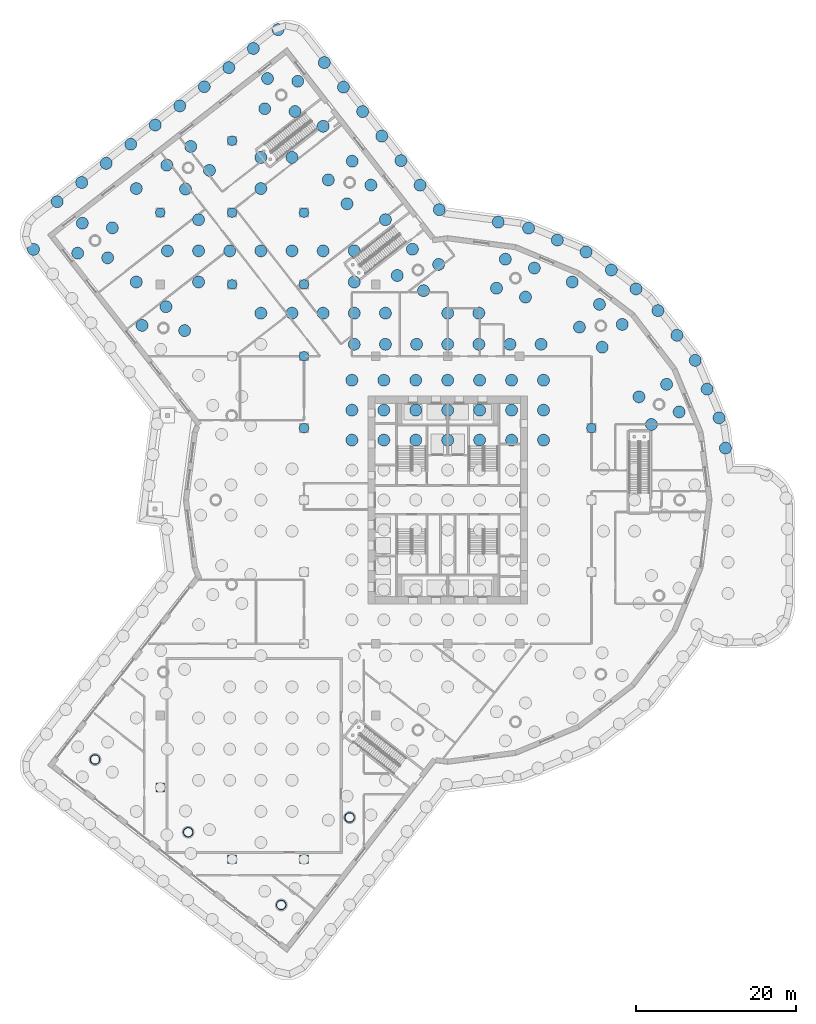
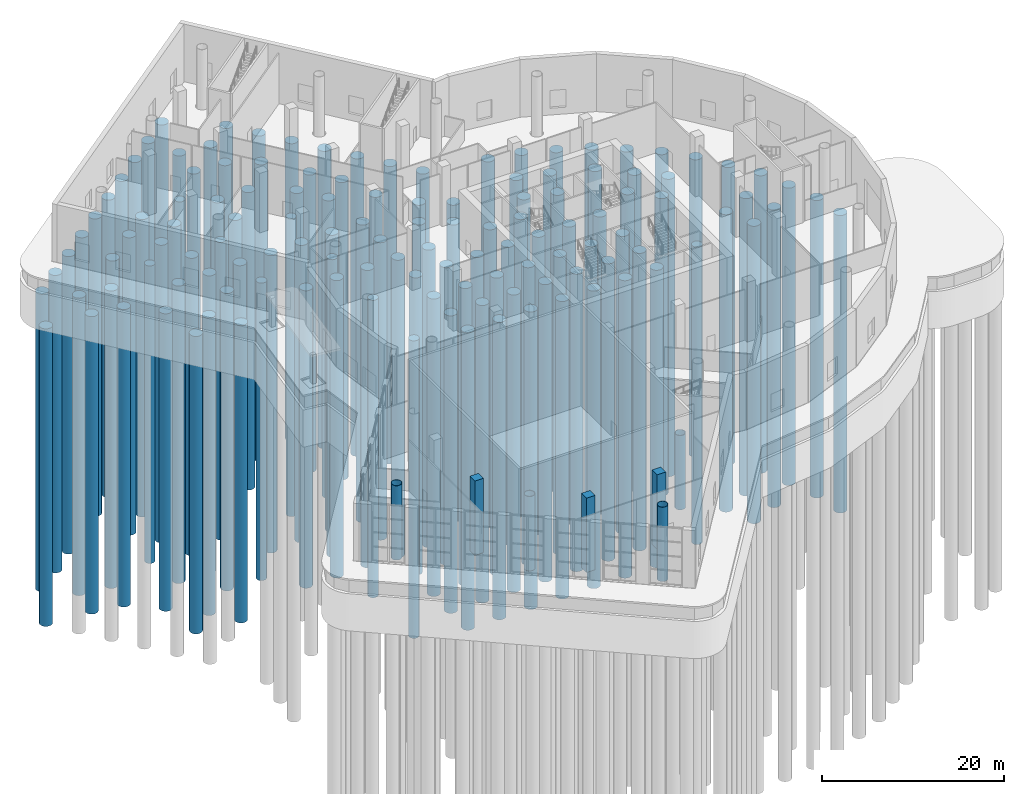
# One storey, part 2 of 34: 127 piles, 7 columns.
"""IFC4 building model written with IfcOpenShell, lengths in metres."""

from ifc_helpers import new_model, si_unit, direction, frame, origin, origin_2d, place, context, subcontext, project, spatial, rectangle, circle, hollow_circle, extrude, material, material_profile, profile_set, type_object, element, save


model = new_model("IFC4")

# Units and contexts
model_context = context("Model", 3, precision=1e-05, world=origin(), true_north=direction((0.0, 1.0)))
body_context = subcontext(model_context, "Body", "Model", "MODEL_VIEW")
ifc_project = project(units=[si_unit("LENGTHUNIT", "METRE"), si_unit("AREAUNIT", "SQUARE_METRE"), si_unit("VOLUMEUNIT", "CUBIC_METRE"), si_unit("PLANEANGLEUNIT", "RADIAN"), si_unit("MASSUNIT", "GRAM", prefix="KILO")], contexts=[model_context])

# Site, building, storey
site_placement = place(None, origin())
site = spatial("IfcSite", under=ifc_project, at=site_placement, CompositionType="ELEMENT")
building_placement = place(site_placement, origin())
building = spatial("IfcBuilding", under=site, at=building_placement, Name="Tarsis Ring Headquarters", CompositionType="ELEMENT")
storey_placement = place(building_placement, origin())
storey = spatial("IfcBuildingStorey", under=building, at=storey_placement, Name="L00", CompositionType="ELEMENT", Elevation=0.0)

# Piles
ifc_material_1 = material(Name="Concrete C40/50", Category="concrete")
ifc_material_profile_1 = material_profile(ifc_material_1, circle(Radius=0.60009765625, at=origin_2d()), Name="BORED 1200")
ifc_profile_set_1 = profile_set([ifc_material_profile_1], Name="Concrete C40/50")
pile_type_1 = type_object("IfcPileType", Name="FD Bored pile 1200", PredefinedType="BORED", material=ifc_profile_set_1)
for number, where, z_axis, x_axis, name in (
    (1, (-36.0, 36.0, -6.85009765625), (0.0, 0.0, -1.0), (1.0, 0.0, 0.0), "Bored pile"),
    (2, (-27.0, 27.0, -6.85009765625), (0.0, 0.0, -1.0), (1.0, 0.0, 0.0), "Bored pile"),
    (3, (-27.0, 36.0, -6.85009765625), (0.0, 0.0, -1.0), (1.0, 0.0, 0.0), "Bored pile"),
    (4, (-27.0, 45.0, -6.85009765625), (0.0, 0.0, -1.0), (1.0, 0.0, 0.0), "Bored pile"),
    (5, (-18.0, 9.0, -6.85009765625), (0.0, 0.0, -1.0), (1.0, 0.0, 0.0), "Bored pile"),
    (6, (-18.0, 18.0, -6.85009765625), (0.0, 0.0, -1.0), (1.0, 0.0, 0.0), "Bored pile"),
    (7, (-18.0, 27.0, -6.85009765625), (0.0, 0.0, -1.0), (1.0, 0.0, 0.0), "Bored pile"),
    (8, (-18.0, 36.0, -6.85009765625), (0.0, 0.0, -1.0), (1.0, 0.0, 0.0), "Bored pile"),
    (9, (18.0, 9.0, -6.85009765625), (0.0, 0.0, -1.0), (1.0, 0.0, 0.0), "Bored pile"),
):
    element("IfcPile", number, at=place(storey_placement, frame(where, z_axis=z_axis, x_axis=x_axis)), inside=storey, type_object=pile_type_1, Name=name, PredefinedType="BORED", context=body_context, shape_type="SweptSolid", body=[
        extrude(circle(Radius=0.60009765625, at=origin_2d()), origin(), (0.0, 0.0, 1.0), 40.0),
    ])
ifc_material_profile_2 = material_profile(ifc_material_1, circle(Radius=0.75, at=origin_2d()), Name="BORED 1500")
ifc_profile_set_2 = profile_set([ifc_material_profile_2], Name="Concrete C40/50")
pile_type_2 = type_object("IfcPileType", Name="FD Bored pile 1500", PredefinedType="BORED", material=ifc_profile_set_2)
for number, where, z_axis, x_axis, name in (
    (10, (-12.0, 7.5, -6.85009765625), (0.0, 0.0, -1.0), (1.0, 0.0, 0.0), "Bored pile"),
    (11, (-12.0, 11.25, -6.85009765625), (0.0, 0.0, -1.0), (1.0, 0.0, 0.0), "Bored pile"),
    (12, (-12.0, 15.0, -6.85009765625), (0.0, 0.0, -1.0), (1.0, 0.0, 0.0), "Bored pile"),
    (13, (-8.0, 7.5, -6.85009765625), (0.0, 0.0, -1.0), (1.0, 0.0, 0.0), "Bored pile"),
    (14, (-8.0, 11.25, -6.85009765625), (0.0, 0.0, -1.0), (1.0, 0.0, 0.0), "Bored pile"),
    (15, (-8.0, 15.0, -6.85009765625), (0.0, 0.0, -1.0), (1.0, 0.0, 0.0), "Bored pile"),
    (16, (-4.0, 7.5, -6.85009765625), (0.0, 0.0, -1.0), (1.0, 0.0, 0.0), "Bored pile"),
    (17, (-4.0, 11.25, -6.85009765625), (0.0, 0.0, -1.0), (1.0, 0.0, 0.0), "Bored pile"),
    (18, (-4.0, 15.0, -6.85009765625), (0.0, 0.0, -1.0), (1.0, 0.0, 0.0), "Bored pile"),
    (19, (0.0, 7.5, -6.85009765625), (0.0, 0.0, -1.0), (1.0, 0.0, 0.0), "Bored pile"),
    (20, (0.0, 11.25, -6.85009765625), (0.0, 0.0, -1.0), (1.0, 0.0, 0.0), "Bored pile"),
    (21, (0.0, 15.0, -6.85009765625), (0.0, 0.0, -1.0), (1.0, 0.0, 0.0), "Bored pile"),
    (22, (4.0, 7.5, -6.85009765625), (0.0, 0.0, -1.0), (1.0, 0.0, 0.0), "Bored pile"),
    (23, (4.0, 11.25, -6.85009765625), (0.0, 0.0, -1.0), (1.0, 0.0, 0.0), "Bored pile"),
    (24, (4.0, 15.0, -6.85009765625), (0.0, 0.0, -1.0), (1.0, 0.0, 0.0), "Bored pile"),
    (25, (8.0, 7.5, -6.85009765625), (0.0, 0.0, -1.0), (1.0, 0.0, 0.0), "Bored pile"),
    (26, (8.0, 11.25, -6.85009765625), (0.0, 0.0, -1.0), (1.0, 0.0, 0.0), "Bored pile"),
    (27, (8.0, 15.0, -6.85009765625), (0.0, 0.0, -1.0), (1.0, 0.0, 0.0), "Bored pile"),
    (28, (12.0, 7.5, -6.85009765625), (0.0, 0.0, -1.0), (1.0, 0.0, 0.0), "Bored pile"),
    (29, (12.0, 11.25, -6.85009765625), (0.0, 0.0, -1.0), (1.0, 0.0, 0.0), "Bored pile"),
    (30, (12.0, 15.0, -6.85009765625), (0.0, 0.0, -1.0), (1.0, 0.0, 0.0), "Bored pile"),
    (31, (28.980224609375, 11.025634765625, -6.85009765625), (0.0, 0.0, -1.0), (1.0, 0.0, 0.0), "Bored pile"),
    (32, (27.4140625, 14.48779296875, -6.85009765625), (0.0, 0.0, -1.0), (1.0, 0.0, 0.0), "Bored pile"),
    (33, (23.951904296875, 12.92138671875, -6.85009765625), (0.0, 0.0, -1.0), (1.0, 0.0, 0.0), "Bored pile"),
    (34, (25.51806640625, 9.459228515625, -6.85009765625), (0.0, 0.0, -1.0), (1.0, 0.0, 0.0), "Bored pile"),
    (35, (21.859130859375, 21.99072265625, -6.85009765625), (0.0, 0.0, -1.0), (1.0, 0.0, 0.0), "Bored pile"),
    (36, (19.005126953125, 24.49951171875, -6.85009765625), (0.0, 0.0, -1.0), (1.0, 0.0, 0.0), "Bored pile"),
    (37, (16.496337890625, 21.6455078125, -6.85009765625), (0.0, 0.0, -1.0), (1.0, 0.0, 0.0), "Bored pile"),
    (38, (19.3505859375, 19.13671875, -6.85009765625), (0.0, 0.0, -1.0), (1.0, 0.0, 0.0), "Bored pile"),
    (39, (10.8515625, 29.0458984375, -6.85009765625), (0.0, 0.0, -1.0), (1.0, 0.0, 0.0), "Bored pile"),
    (40, (7.217041015625, 30.1552734375, -6.85009765625), (0.0, 0.0, -1.0), (1.0, 0.0, 0.0), "Bored pile"),
    (41, (6.10791015625, 26.520751953125, -6.85009765625), (0.0, 0.0, -1.0), (1.0, 0.0, 0.0), "Bored pile"),
    (42, (9.7421875, 25.411376953125, -6.85009765625), (0.0, 0.0, -1.0), (1.0, 0.0, 0.0), "Bored pile"),
    (43, (-1.131103515625, 29.5048828125, -6.85009765625), (0.0, 0.0, -1.0), (1.0, 0.0, 0.0), "Bored pile"),
    (44, (-4.42236328125, 31.40380859375, -6.85009765625), (0.0, 0.0, -1.0), (1.0, 0.0, 0.0), "Bored pile"),
    (45, (-6.321533203125, 28.1123046875, -6.85009765625), (0.0, 0.0, -1.0), (1.0, 0.0, 0.0), "Bored pile"),
    (46, (-3.030029296875, 26.21337890625, -6.85009765625), (0.0, 0.0, -1.0), (1.0, 0.0, 0.0), "Bored pile"),
    (47, (-9.618408203125, 39.436279296875, -6.85009765625), (0.0, 0.0, -1.0), (1.0, 0.0, 0.0), "Bored pile"),
    (48, (-11.957763671875, 42.4306640625, -6.85009765625), (0.0, 0.0, -1.0), (1.0, 0.0, 0.0), "Bored pile"),
    (49, (-14.952392578125, 40.091064453125, -6.85009765625), (0.0, 0.0, -1.0), (1.0, 0.0, 0.0), "Bored pile"),
    (50, (-12.61279296875, 37.0966796875, -6.85009765625), (0.0, 0.0, -1.0), (1.0, 0.0, 0.0), "Bored pile"),
    (51, (-18.77978515625, 52.4384765625, -6.85009765625), (0.0, 0.0, -1.0), (1.0, 0.0, 0.0), "Bored pile"),
    (52, (-22.56396484375, 52.783447265625, -6.85009765625), (0.0, 0.0, -1.0), (1.0, 0.0, 0.0), "Bored pile"),
    (53, (-22.908935546875, 48.9990234375, -6.85009765625), (0.0, 0.0, -1.0), (1.0, 0.0, 0.0), "Bored pile"),
    (54, (-19.124755859375, 48.654052734375, -6.85009765625), (0.0, 0.0, -1.0), (1.0, 0.0, 0.0), "Bored pile"),
    (55, (-32.179443359375, 44.27392578125, -6.85009765625), (0.0, 0.0, -1.0), (1.0, 0.0, 0.0), "Bored pile"),
    (56, (-35.173828125, 41.934326171875, -6.85009765625), (0.0, 0.0, -1.0), (1.0, 0.0, 0.0), "Bored pile"),
    (57, (-32.83447265625, 38.93994140625, -6.85009765625), (0.0, 0.0, -1.0), (1.0, 0.0, 0.0), "Bored pile"),
    (58, (-29.83984375, 41.279541015625, -6.85009765625), (0.0, 0.0, -1.0), (1.0, 0.0, 0.0), "Bored pile"),
    (59, (-45.7568359375, 34.663330078125, -6.85009765625), (0.0, 0.0, -1.0), (1.0, 0.0, 0.0), "Bored pile"),
    (60, (-46.337646484375, 30.907958984375, -6.85009765625), (0.0, 0.0, -1.0), (1.0, 0.0, 0.0), "Bored pile"),
    (61, (-42.582275390625, 30.3271484375, -6.85009765625), (0.0, 0.0, -1.0), (1.0, 0.0, 0.0), "Bored pile"),
    (62, (-42.00146484375, 34.08251953125, -6.85009765625), (0.0, 0.0, -1.0), (1.0, 0.0, 0.0), "Bored pile"),
    (63, (-38.27734375, 21.867431640625, -6.85009765625), (0.0, 0.0, -1.0), (1.0, 0.0, 0.0), "Bored pile"),
    (64, (-32.943359375, 21.212646484375, -6.85009765625), (0.0, 0.0, -1.0), (1.0, 0.0, 0.0), "Bored pile"),
    (65, (-35.282958984375, 24.20703125, -6.85009765625), (0.0, 0.0, -1.0), (1.0, 0.0, 0.0), "Bored pile"),
    (66, (-51.87255859375, 31.390869140625, -6.85009765625), (0.0, 0.0, -1.0), (1.0, 0.0, 0.0), "Bored pile"),
    (67, (-48.90625, 37.3603515625, -6.85009765625), (0.0, 0.0, -1.0), (1.0, 0.0, 0.0), "Bored pile"),
    (68, (-45.8359375, 39.759033203125, -6.85009765625), (0.0, 0.0, -1.0), (1.0, 0.0, 0.0), "Bored pile"),
    (69, (-42.765625, 42.157958984375, -6.85009765625), (0.0, 0.0, -1.0), (1.0, 0.0, 0.0), "Bored pile"),
    (70, (-39.6953125, 44.556640625, -6.85009765625), (0.0, 0.0, -1.0), (1.0, 0.0, 0.0), "Bored pile"),
    (71, (-36.625, 46.955322265625, -6.85009765625), (0.0, 0.0, -1.0), (1.0, 0.0, 0.0), "Bored pile"),
    (72, (-33.5546875, 49.354248046875, -6.85009765625), (0.0, 0.0, -1.0), (1.0, 0.0, 0.0), "Bored pile"),
    (73, (-30.484619140625, 51.7529296875, -6.85009765625), (0.0, 0.0, -1.0), (1.0, 0.0, 0.0), "Bored pile"),
    (74, (-27.414306640625, 54.151611328125, -6.85009765625), (0.0, 0.0, -1.0), (1.0, 0.0, 0.0), "Bored pile"),
    (75, (-24.343994140625, 56.550537109375, -6.85009765625), (0.0, 0.0, -1.0), (1.0, 0.0, 0.0), "Bored pile"),
    (76, (-21.241455078125, 58.90185546875, -6.85009765625), (0.0, 0.0, -1.0), (1.0, 0.0, 0.0), "Bored pile"),
    (77, (-15.451904296875, 54.780517578125, -6.85009765625), (0.0, 0.0, -1.0), (1.0, 0.0, 0.0), "Bored pile"),
    (78, (-13.052978515625, 51.710205078125, -6.85009765625), (0.0, 0.0, -1.0), (1.0, 0.0, 0.0), "Bored pile"),
    (79, (-10.654296875, 48.639892578125, -6.85009765625), (0.0, 0.0, -1.0), (1.0, 0.0, 0.0), "Bored pile"),
    (80, (-8.255615234375, 45.569580078125, -6.85009765625), (0.0, 0.0, -1.0), (1.0, 0.0, 0.0), "Bored pile"),
    (81, (-5.856689453125, 42.499267578125, -6.85009765625), (0.0, 0.0, -1.0), (1.0, 0.0, 0.0), "Bored pile"),
    (82, (-3.4580078125, 39.428955078125, -6.85009765625), (0.0, 0.0, -1.0), (1.0, 0.0, 0.0), "Bored pile"),
    (83, (-1.05908203125, 36.358642578125, -6.85009765625), (0.0, 0.0, -1.0), (1.0, 0.0, 0.0), "Bored pile"),
    (84, (6.32666015625, 34.799560546875, -6.85009765625), (0.0, 0.0, -1.0), (1.0, 0.0, 0.0), "Bored pile"),
    (85, (10.127685546875, 34.043212890625, -6.85009765625), (0.0, 0.0, -1.0), (1.0, 0.0, 0.0), "Bored pile"),
    (86, (13.727294921875, 32.55224609375, -6.85009765625), (0.0, 0.0, -1.0), (1.0, 0.0, 0.0), "Bored pile"),
    (87, (17.326904296875, 31.061279296875, -6.85009765625), (0.0, 0.0, -1.0), (1.0, 0.0, 0.0), "Bored pile"),
    (88, (20.490478515625, 28.806396484375, -6.85009765625), (0.0, 0.0, -1.0), (1.0, 0.0, 0.0), "Bored pile"),
    (89, (23.58154296875, 26.4345703125, -6.85009765625), (0.0, 0.0, -1.0), (1.0, 0.0, 0.0), "Bored pile"),
    (90, (26.331787109375, 23.7158203125, -6.85009765625), (0.0, 0.0, -1.0), (1.0, 0.0, 0.0), "Bored pile"),
    (91, (28.70361328125, 20.62451171875, -6.85009765625), (0.0, 0.0, -1.0), (1.0, 0.0, 0.0), "Bored pile"),
    (92, (30.99658203125, 17.483154296875, -6.85009765625), (0.0, 0.0, -1.0), (1.0, 0.0, 0.0), "Bored pile"),
    (93, (32.487548828125, 13.88330078125, -6.85009765625), (0.0, 0.0, -1.0), (1.0, 0.0, 0.0), "Bored pile"),
    (94, (33.978515625, 10.28369140625, -6.85009765625), (0.0, 0.0, -1.0), (1.0, 0.0, 0.0), "Bored pile"),
    (95, (34.77734375, 6.494140625, -6.85009765625), (0.0, 0.0, -1.0), (1.0, 0.0, 0.0), "Bored pile"),
    (96, (-39.0, 27.300048828125, -6.85009765625), (0.0, 0.0, -1.0), (1.0, 0.0, 0.0), "Bored pile"),
    (97, (-39.0, 39.0, -6.85009765625), (0.0, 0.0, -1.0), (1.0, 0.0, 0.0), "Bored pile"),
    (98, (-35.10009765625, 31.199951171875, -6.85009765625), (0.0, 0.0, -1.0), (1.0, 0.0, 0.0), "Bored pile"),
    (99, (-31.199951171875, 27.300048828125, -6.85009765625), (0.0, 0.0, -1.0), (1.0, 0.0, 0.0), "Bored pile"),
    (100, (-31.199951171875, 31.199951171875, -6.85009765625), (0.0, 0.0, -1.0), (1.0, 0.0, 0.0), "Bored pile"),
    (101, (-31.199951171875, 35.10009765625, -6.85009765625), (0.0, 0.0, -1.0), (1.0, 0.0, 0.0), "Bored pile"),
    (102, (-27.300048828125, 31.199951171875, -6.85009765625), (0.0, 0.0, -1.0), (1.0, 0.0, 0.0), "Bored pile"),
    (103, (-23.39990234375, 23.39990234375, -6.85009765625), (0.0, 0.0, -1.0), (1.0, 0.0, 0.0), "Bored pile"),
    (104, (-23.39990234375, 31.199951171875, -6.85009765625), (0.0, 0.0, -1.0), (1.0, 0.0, 0.0), "Bored pile"),
    (105, (-23.39990234375, 39.0, -6.85009765625), (0.0, 0.0, -1.0), (1.0, 0.0, 0.0), "Bored pile"),
    (106, (-23.39990234375, 42.89990234375, -6.85009765625), (0.0, 0.0, -1.0), (1.0, 0.0, 0.0), "Bored pile"),
    (107, (-19.5, 23.39990234375, -6.85009765625), (0.0, 0.0, -1.0), (1.0, 0.0, 0.0), "Bored pile"),
    (108, (-19.5, 31.199951171875, -6.85009765625), (0.0, 0.0, -1.0), (1.0, 0.0, 0.0), "Bored pile"),
    (109, (-19.5, 42.89990234375, -6.85009765625), (0.0, 0.0, -1.0), (1.0, 0.0, 0.0), "Bored pile"),
    (110, (-15.60009765625, 23.39990234375, -6.85009765625), (0.0, 0.0, -1.0), (1.0, 0.0, 0.0), "Bored pile"),
    (111, (-15.60009765625, 31.199951171875, -6.85009765625), (0.0, 0.0, -1.0), (1.0, 0.0, 0.0), "Bored pile"),
    (112, (-15.60009765625, 46.800048828125, -6.85009765625), (0.0, 0.0, -1.0), (1.0, 0.0, 0.0), "Bored pile"),
    (113, (-11.699951171875, 19.5, -6.85009765625), (0.0, 0.0, -1.0), (1.0, 0.0, 0.0), "Bored pile"),
    (114, (-11.699951171875, 23.39990234375, -6.85009765625), (0.0, 0.0, -1.0), (1.0, 0.0, 0.0), "Bored pile"),
    (115, (-11.699951171875, 27.300048828125, -6.85009765625), (0.0, 0.0, -1.0), (1.0, 0.0, 0.0), "Bored pile"),
    (116, (-11.699951171875, 31.199951171875, -6.85009765625), (0.0, 0.0, -1.0), (1.0, 0.0, 0.0), "Bored pile"),
    (117, (-7.800048828125, 19.5, -6.85009765625), (0.0, 0.0, -1.0), (1.0, 0.0, 0.0), "Bored pile"),
    (118, (-7.800048828125, 23.39990234375, -6.85009765625), (0.0, 0.0, -1.0), (1.0, 0.0, 0.0), "Bored pile"),
    (119, (-7.800048828125, 35.10009765625, -6.85009765625), (0.0, 0.0, -1.0), (1.0, 0.0, 0.0), "Bored pile"),
    (120, (-3.89990234375, 19.5, -6.85009765625), (0.0, 0.0, -1.0), (1.0, 0.0, 0.0), "Bored pile"),
    (121, (0.0, 19.5, -6.85009765625), (0.0, 0.0, -1.0), (1.0, 0.0, 0.0), "Bored pile"),
    (122, (0.0, 23.39990234375, -6.85009765625), (0.0, 0.0, -1.0), (1.0, 0.0, 0.0), "Bored pile"),
    (123, (3.89990234375, 19.5, -6.85009765625), (0.0, 0.0, -1.0), (1.0, 0.0, 0.0), "Bored pile"),
    (124, (3.89990234375, 23.39990234375, -6.85009765625), (0.0, 0.0, -1.0), (1.0, 0.0, 0.0), "Bored pile"),
    (125, (7.800048828125, 19.5, -6.85009765625), (0.0, 0.0, -1.0), (1.0, 0.0, 0.0), "Bored pile"),
    (126, (11.699951171875, 19.5, -6.85009765625), (0.0, 0.0, -1.0), (1.0, 0.0, 0.0), "Bored pile"),
    (127, (15.60009765625, 27.300048828125, -6.85009765625), (0.0, 0.0, -1.0), (1.0, 0.0, 0.0), "Bored pile"),
):
    element("IfcPile", number, at=place(storey_placement, frame(where, z_axis=z_axis, x_axis=x_axis)), inside=storey, type_object=pile_type_2, Name=name, PredefinedType="BORED", context=body_context, shape_type="SweptSolid", body=[
        extrude(circle(Radius=0.75, at=origin_2d()), origin(), (0.0, 0.0, 1.0), 40.0),
    ])

# Columns
ifc_material_2 = material(Name="Concrete C60/75", Category="concrete")
ifc_material_profile_3 = material_profile(ifc_material_2, rectangle(XDim=1.10009765625, YDim=1.10009765625, at=origin_2d()), Name="PO-C1100")
ifc_profile_set_3 = profile_set([ifc_material_profile_3], Name="Concrete C60/75")
column_type_1 = type_object("IfcColumnType", Name="PO-C1100", PredefinedType="COLUMN", material=ifc_profile_set_3)
for number, where, z_axis, x_axis, name in (
    (128, (-36.0, -36.0, -2.0), (0.0, 0.0, 1.0), (1.0, 0.0, 0.0), "L00 column 1"),
    (129, (-27.0, -45.0, -2.0), (0.0, 0.0, 1.0), (1.0, 0.0, 0.0), "L00 column 5"),
    (130, (-18.0, -45.0, -2.0), (0.0, 0.0, 1.0), (1.0, 0.0, 0.0), "L00 column 11"),
):
    element("IfcColumn", number, at=place(storey_placement, frame(where, z_axis=z_axis, x_axis=x_axis)), inside=storey, type_object=column_type_1, Name=name, PredefinedType="COLUMN", context=body_context, shape_type="SweptSolid", body=[
        extrude(rectangle(XDim=1.10009765625, YDim=1.10009765625, at=origin_2d()), origin(), (0.0, 0.0, 1.0), 10.0),
    ])
ifc_material_3 = material(Name="Structural steel S460", Category="steel")
ifc_material_profile_4 = material_profile(ifc_material_3, hollow_circle(Radius=0.609619140625, WallThickness=0.050048828125, at=origin_2d()), Name="CHS 1219x50")
ifc_profile_set_4 = profile_set([ifc_material_profile_4], Name="Structural steel S460")
column_type_2 = type_object("IfcColumnType", Name="XC Exo column CHS 1219x50", PredefinedType="COLUMN", material=ifc_profile_set_4)
for number, where, z_axis, x_axis, name in (
    (131, (-44.16943359375, -32.4951171875, -2.0), (0.0, 0.0, 1.0), (1.0, 0.0, 0.0), "Exo column XC1 AT1"),
    (132, (-32.5068359375, -41.60693359375, -2.0), (0.0, 0.0, 1.0), (1.0, 0.0, 0.0), "Exo column XC1 AT2"),
    (133, (-20.844482421875, -50.71875, -2.0), (0.0, 0.0, 1.0), (1.0, 0.0, 0.0), "Exo column XC1 AT3"),
    (134, (-12.285400390625, -39.763671875, -2.0), (0.0, 0.0, 1.0), (1.0, 0.0, 0.0), "Exo column XC1 AO1"),
):
    element("IfcColumn", number, at=place(storey_placement, frame(where, z_axis=z_axis, x_axis=x_axis)), inside=storey, type_object=column_type_2, Name=name, PredefinedType="COLUMN", context=body_context, shape_type="SweptSolid", body=[
        extrude(hollow_circle(Radius=0.609619140625, WallThickness=0.050048828125, at=origin_2d()), origin(), (0.0, 0.0, 1.0), 9.999755859375),
    ])

save(model, "model.ifc")
